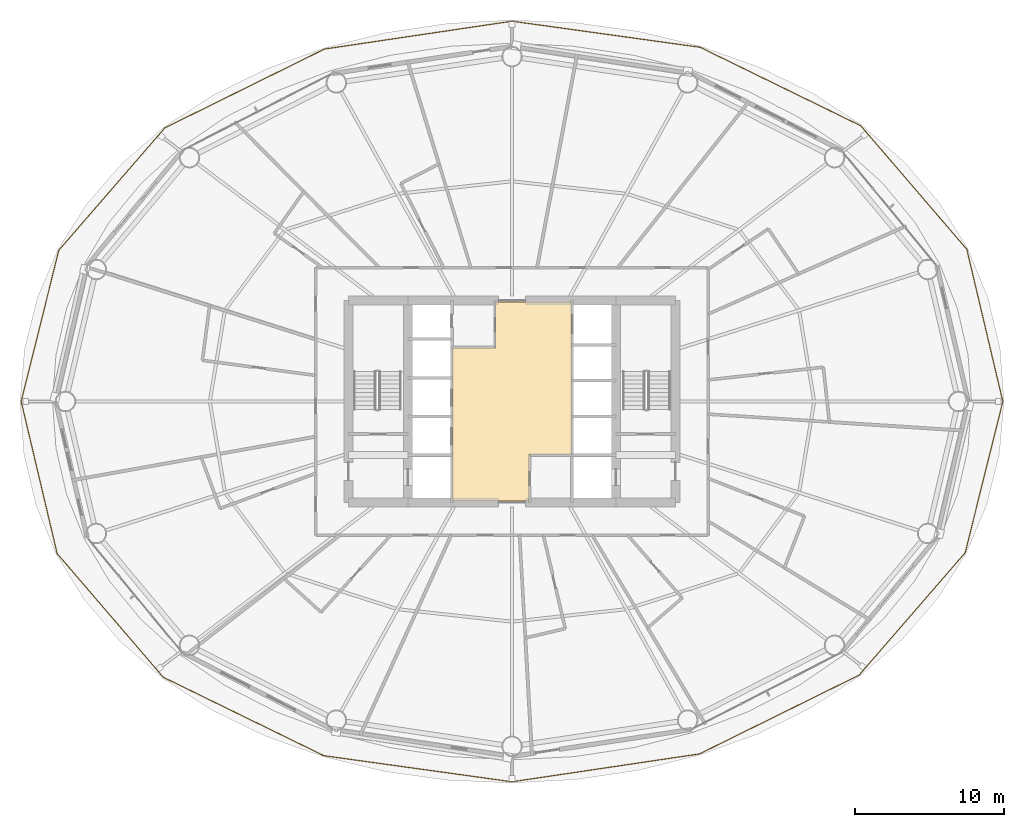
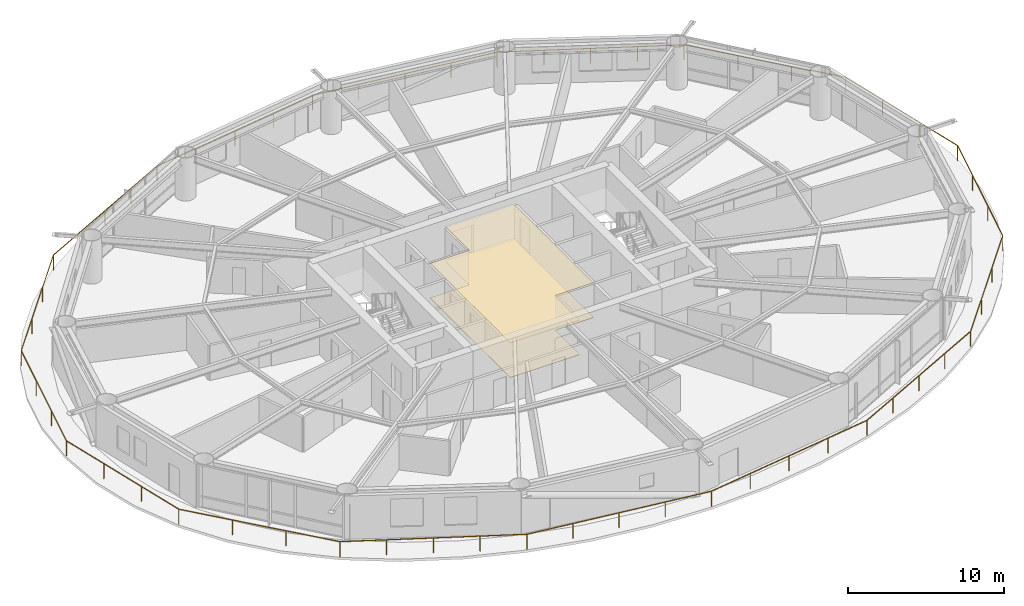
# One storey, part 25 of 26: 2 coverings, 1 railing.
"""IFC4 building model written with IfcOpenShell, lengths in metres."""

from ifc_helpers import new_model, si_unit, direction, frame, origin, origin_2d, place, context, subcontext, project, spatial, polyline, rectangle, outline, extrude, material, layer, layer_set, type_object, element, save


model = new_model("IFC4")

# Units and contexts
model_context = context("Model", 3, precision=1e-05, world=origin(), true_north=direction((0.0, 1.0)))
body_context = subcontext(model_context, "Body", "Model", "MODEL_VIEW")
ifc_project = project(units=[si_unit("LENGTHUNIT", "METRE"), si_unit("AREAUNIT", "SQUARE_METRE"), si_unit("VOLUMEUNIT", "CUBIC_METRE"), si_unit("PLANEANGLEUNIT", "RADIAN"), si_unit("MASSUNIT", "GRAM", prefix="KILO")], contexts=[model_context])

# Site, building, storey
site_placement = place(None, origin())
site = spatial("IfcSite", under=ifc_project, at=site_placement, CompositionType="ELEMENT")
building_placement = place(site_placement, origin())
building = spatial("IfcBuilding", under=site, at=building_placement, Name="Sarneth Arch Tower", CompositionType="ELEMENT")
storey_placement = place(building_placement, frame((0.0, 0.0, 57.0)))
storey = spatial("IfcBuildingStorey", under=building, at=storey_placement, Name="L13", CompositionType="ELEMENT", Elevation=57.0)

# Coverings
ifc_material_1 = material(Name="Perforated acoustic gypsum ceiling board")
ifc_layer_1 = layer(ifc_material_1, 0.02490234375)
ifc_layer_set_1 = layer_set([ifc_layer_1], Name="Perforated acoustic gypsum ceiling board")
covering_type_1 = type_object("IfcCoveringType", Name="COV-CEIL-GYP", PredefinedType="CEILING", material=ifc_layer_set_1)
covering_1_placement = place(storey_placement, frame((0.0, 0.0, 2.7099609375)))
element("IfcCovering", 1, at=covering_1_placement, inside=storey, type_object=covering_type_1, Name="L13 Lift lobby acoustic ceiling", PredefinedType="CEILING", context=body_context, shape_type="SweptSolid", body=[
    extrude(outline(polyline([(49.14990234375, 38.449951171875), (49.14990234375, 35.300048828125), (44.0, 35.300048828125), (44.0, 45.60009765625), (46.89990234375, 45.60009765625), (46.89990234375, 48.699951171875), (52.0, 48.699951171875), (52.0, 38.449951171875), (49.14990234375, 38.449951171875)])), origin(), (0.0, 0.0, 1.0), 0.030029296875),
])
ifc_material_2 = material(Name="Honed granite stone flooring", Category="masonry")
ifc_layer_2 = layer(ifc_material_2, 0.030029296875)
ifc_layer_set_2 = layer_set([ifc_layer_2], Name="Honed granite stone flooring")
covering_type_2 = type_object("IfcCoveringType", Name="COV-FLR-STONE", PredefinedType="FLOORING", material=ifc_layer_set_2)
covering_2_placement = place(storey_placement, origin())
element("IfcCovering", 2, at=covering_2_placement, inside=storey, type_object=covering_type_2, Name="L13 Lift lobby granite flooring", PredefinedType="FLOORING", context=body_context, shape_type="SweptSolid", body=[
    extrude(outline(polyline([(49.14990234375, 38.449951171875), (49.14990234375, 35.300048828125), (44.0, 35.300048828125), (44.0, 45.60009765625), (46.89990234375, 45.60009765625), (46.89990234375, 48.699951171875), (52.0, 48.699951171875), (52.0, 38.449951171875), (49.14990234375, 38.449951171875)])), origin(), (0.0, 0.0, 1.0), 0.030029296875),
])

# Railing
ifc_material_3 = material(Name="Laminated structural glass infill with Stainless Steel 316 top rail and posts", Category="steel")
railing_type = type_object("IfcRailingType", Name="RAIL-BALC-1200", PredefinedType="BALUSTRADE", material=ifc_material_3)
railing_placement = place(storey_placement, frame((81.01708984375, 42.0, 0.0)))
element("IfcRailing", 3, at=railing_placement, inside=storey, type_object=railing_type, Name="L13 Helical balcony glass balustrade", PredefinedType="BALUSTRADE", context=body_context, shape_type="SweptSolid", body=[
    extrude(rectangle(XDim=0.048095703125, YDim=0.048095703125, at=origin_2d()), frame((0.0, 0.0, 1.17578125), z_axis=(-0.230206108695, 0.973141894854, 0.0), x_axis=(-0.973141894854, -0.230206108695, 0.0)), (0.0, 0.0, 1.0), 10.518310546875),
    extrude(rectangle(XDim=0.048095703125, YDim=0.048095703125, at=origin_2d()), frame((-2.42138671875, 10.23583984375, 1.17578125), z_axis=(-0.651308870756, 0.758812727144, 0.0), x_axis=(-0.758812727144, -0.651308870756, 0.0)), (0.0, 0.0, 1.0), 10.953125),
    extrude(rectangle(XDim=0.048095703125, YDim=0.048095703125, at=origin_2d()), frame((-9.55517578125, 18.547119140625, 1.17578125), z_axis=(-0.898516706372, 0.438939321969, 0.0), x_axis=(-0.438939321969, -0.898516706372, 0.0)), (0.0, 0.0, 1.0), 12.03076171875),
    extrude(rectangle(XDim=0.048095703125, YDim=0.048095703125, at=origin_2d()), frame((-20.364990234375, 23.827880859375, 1.17578125), z_axis=(-0.99051996118, 0.137368870212, 0.0), x_axis=(-0.137368870212, -0.99051996118, 0.0)), (0.0, 0.0, 1.0), 12.773193359375),
    extrude(rectangle(XDim=0.048095703125, YDim=0.048095703125, at=origin_2d()), frame((-33.01708984375, 25.58251953125, 1.17578125), z_axis=(-0.989127061151, -0.147063445145, 0.0), x_axis=(0.147063445145, -0.989127061151, 0.0)), (0.0, 0.0, 1.0), 12.7529296875),
    extrude(rectangle(XDim=0.048095703125, YDim=0.048095703125, at=origin_2d()), frame((-45.63134765625, 23.70703125, 1.17578125), z_axis=(-0.896641921043, -0.442756440302, 0.0), x_axis=(0.442756440302, -0.896641921043, 0.0)), (0.0, 0.0, 1.0), 11.977783203125),
    extrude(rectangle(XDim=0.048095703125, YDim=0.048095703125, at=origin_2d()), frame((-56.37109375, 18.40380859375, 1.17578125), z_axis=(-0.654860544798, -0.755749738251, 0.0), x_axis=(0.755749738251, -0.654860544798, 0.0)), (0.0, 0.0, 1.0), 10.889404296875),
    extrude(rectangle(XDim=0.048095703125, YDim=0.048095703125, at=origin_2d()), frame((-63.502197265625, 10.174072265625, 1.17578125), z_axis=(-0.241499941168, -0.970400833891, 0.0), x_axis=(0.970400833891, -0.241499941168, 0.0)), (0.0, 0.0, 1.0), 10.484375),
    extrude(rectangle(XDim=0.048095703125, YDim=0.048095703125, at=origin_2d()), frame((-66.0341796875, 0.0, 1.17578125), z_axis=(0.230206108695, -0.973141894854, 0.0), x_axis=(0.973141894854, 0.230206108695, 0.0)), (0.0, 0.0, 1.0), 10.518310546875),
    extrude(rectangle(XDim=0.048095703125, YDim=0.048095703125, at=origin_2d()), frame((-63.61279296875, -10.23583984375, 1.17578125), z_axis=(0.651308870756, -0.758812727144, 0.0), x_axis=(0.758812727144, 0.651308870756, 0.0)), (0.0, 0.0, 1.0), 10.953125),
    extrude(rectangle(XDim=0.048095703125, YDim=0.048095703125, at=origin_2d()), frame((-56.47900390625, -18.547119140625, 1.17578125), z_axis=(0.898516706372, -0.438939321969, 0.0), x_axis=(0.438939321969, 0.898516706372, 0.0)), (0.0, 0.0, 1.0), 12.03076171875),
    extrude(rectangle(XDim=0.048095703125, YDim=0.048095703125, at=origin_2d()), frame((-45.669189453125, -23.827880859375, 1.17578125), z_axis=(0.99051996118, -0.137368870212, 0.0), x_axis=(0.137368870212, 0.99051996118, 0.0)), (0.0, 0.0, 1.0), 12.773193359375),
    extrude(rectangle(XDim=0.048095703125, YDim=0.048095703125, at=origin_2d()), frame((-33.01708984375, -25.58251953125, 1.17578125), z_axis=(0.989127061151, 0.147063445145, 0.0), x_axis=(-0.147063445145, 0.989127061151, 0.0)), (0.0, 0.0, 1.0), 12.7529296875),
    extrude(rectangle(XDim=0.048095703125, YDim=0.048095703125, at=origin_2d()), frame((-20.40283203125, -23.70703125, 1.17578125), z_axis=(0.896641921043, 0.442756440302, 0.0), x_axis=(-0.442756440302, 0.896641921043, 0.0)), (0.0, 0.0, 1.0), 11.977783203125),
    extrude(rectangle(XDim=0.048095703125, YDim=0.048095703125, at=origin_2d()), frame((-9.6630859375, -18.40380859375, 1.17578125), z_axis=(0.654860544798, 0.755749738251, 0.0), x_axis=(-0.755749738251, 0.654860544798, 0.0)), (0.0, 0.0, 1.0), 10.889404296875),
    extrude(rectangle(XDim=0.048095703125, YDim=0.048095703125, at=origin_2d()), frame((-2.531982421875, -10.174072265625, 1.17578125), z_axis=(0.241499941168, 0.970400833891, 0.0), x_axis=(-0.970400833891, 0.241499941168, 0.0)), (0.0, 0.0, 1.0), 10.484375),
    extrude(rectangle(XDim=0.0419921875, YDim=0.0419921875, at=origin_2d()), origin(), (0.0, 0.0, 1.0), 1.15185546875),
    extrude(rectangle(XDim=0.0419921875, YDim=0.0419921875, at=origin_2d()), frame((-0.80712890625, 3.411865234375, 0.0)), (0.0, 0.0, 1.0), 1.15185546875),
    extrude(rectangle(XDim=0.0419921875, YDim=0.0419921875, at=origin_2d()), frame((-1.6142578125, 6.823974609375, 0.0)), (0.0, 0.0, 1.0), 1.15185546875),
    extrude(rectangle(XDim=0.0419921875, YDim=0.0419921875, at=origin_2d()), frame((-2.42138671875, 10.23583984375, 0.0)), (0.0, 0.0, 1.0), 1.15185546875),
    extrude(rectangle(XDim=0.0419921875, YDim=0.0419921875, at=origin_2d()), frame((-4.79931640625, 13.00634765625, 0.0)), (0.0, 0.0, 1.0), 1.15185546875),
    extrude(rectangle(XDim=0.0419921875, YDim=0.0419921875, at=origin_2d()), frame((-7.17724609375, 15.776611328125, 0.0)), (0.0, 0.0, 1.0), 1.15185546875),
    extrude(rectangle(XDim=0.0419921875, YDim=0.0419921875, at=origin_2d()), frame((-9.55517578125, 18.547119140625, 0.0)), (0.0, 0.0, 1.0), 1.15185546875),
    extrude(rectangle(XDim=0.0419921875, YDim=0.0419921875, at=origin_2d()), frame((-12.257568359375, 19.8671875, 0.0)), (0.0, 0.0, 1.0), 1.15185546875),
    extrude(rectangle(XDim=0.0419921875, YDim=0.0419921875, at=origin_2d()), frame((-14.9599609375, 21.1875, 0.0)), (0.0, 0.0, 1.0), 1.15185546875),
    extrude(rectangle(XDim=0.0419921875, YDim=0.0419921875, at=origin_2d()), frame((-17.66259765625, 22.5078125, 0.0)), (0.0, 0.0, 1.0), 1.15185546875),
    extrude(rectangle(XDim=0.0419921875, YDim=0.0419921875, at=origin_2d()), frame((-20.364990234375, 23.827880859375, 0.0)), (0.0, 0.0, 1.0), 1.15185546875),
    extrude(rectangle(XDim=0.0419921875, YDim=0.0419921875, at=origin_2d()), frame((-23.528076171875, 24.2666015625, 0.0)), (0.0, 0.0, 1.0), 1.15185546875),
    extrude(rectangle(XDim=0.0419921875, YDim=0.0419921875, at=origin_2d()), frame((-26.69091796875, 24.705078125, 0.0)), (0.0, 0.0, 1.0), 1.15185546875),
    extrude(rectangle(XDim=0.0419921875, YDim=0.0419921875, at=origin_2d()), frame((-29.85400390625, 25.143798828125, 0.0)), (0.0, 0.0, 1.0), 1.15185546875),
    extrude(rectangle(XDim=0.0419921875, YDim=0.0419921875, at=origin_2d()), frame((-33.01708984375, 25.58251953125, 0.0)), (0.0, 0.0, 1.0), 1.15185546875),
    extrude(rectangle(XDim=0.0419921875, YDim=0.0419921875, at=origin_2d()), frame((-36.170654296875, 25.11376953125, 0.0)), (0.0, 0.0, 1.0), 1.15185546875),
    extrude(rectangle(XDim=0.0419921875, YDim=0.0419921875, at=origin_2d()), frame((-39.32421875, 24.644775390625, 0.0)), (0.0, 0.0, 1.0), 1.15185546875),
    extrude(rectangle(XDim=0.0419921875, YDim=0.0419921875, at=origin_2d()), frame((-42.477783203125, 24.17578125, 0.0)), (0.0, 0.0, 1.0), 1.15185546875),
    extrude(rectangle(XDim=0.0419921875, YDim=0.0419921875, at=origin_2d()), frame((-45.63134765625, 23.70703125, 0.0)), (0.0, 0.0, 1.0), 1.15185546875),
    extrude(rectangle(XDim=0.0419921875, YDim=0.0419921875, at=origin_2d()), frame((-48.31640625, 22.38134765625, 0.0)), (0.0, 0.0, 1.0), 1.15185546875),
    extrude(rectangle(XDim=0.0419921875, YDim=0.0419921875, at=origin_2d()), frame((-51.001220703125, 21.055419921875, 0.0)), (0.0, 0.0, 1.0), 1.15185546875),
    extrude(rectangle(XDim=0.0419921875, YDim=0.0419921875, at=origin_2d()), frame((-53.68603515625, 19.7294921875, 0.0)), (0.0, 0.0, 1.0), 1.15185546875),
    extrude(rectangle(XDim=0.0419921875, YDim=0.0419921875, at=origin_2d()), frame((-56.37109375, 18.40380859375, 0.0)), (0.0, 0.0, 1.0), 1.15185546875),
    extrude(rectangle(XDim=0.0419921875, YDim=0.0419921875, at=origin_2d()), frame((-58.748046875, 15.66064453125, 0.0)), (0.0, 0.0, 1.0), 1.15185546875),
    extrude(rectangle(XDim=0.0419921875, YDim=0.0419921875, at=origin_2d()), frame((-61.125244140625, 12.917236328125, 0.0)), (0.0, 0.0, 1.0), 1.15185546875),
    extrude(rectangle(XDim=0.0419921875, YDim=0.0419921875, at=origin_2d()), frame((-63.502197265625, 10.174072265625, 0.0)), (0.0, 0.0, 1.0), 1.15185546875),
    extrude(rectangle(XDim=0.0419921875, YDim=0.0419921875, at=origin_2d()), frame((-64.34619140625, 6.78271484375, 0.0)), (0.0, 0.0, 1.0), 1.15185546875),
    extrude(rectangle(XDim=0.0419921875, YDim=0.0419921875, at=origin_2d()), frame((-65.190185546875, 3.391357421875, 0.0)), (0.0, 0.0, 1.0), 1.15185546875),
    extrude(rectangle(XDim=0.0419921875, YDim=0.0419921875, at=origin_2d()), frame((-66.0341796875, 0.0, 0.0)), (0.0, 0.0, 1.0), 1.15185546875),
    extrude(rectangle(XDim=0.0419921875, YDim=0.0419921875, at=origin_2d()), frame((-65.22705078125, -3.411865234375, 0.0)), (0.0, 0.0, 1.0), 1.15185546875),
    extrude(rectangle(XDim=0.0419921875, YDim=0.0419921875, at=origin_2d()), frame((-64.419921875, -6.823974609375, 0.0)), (0.0, 0.0, 1.0), 1.15185546875),
    extrude(rectangle(XDim=0.0419921875, YDim=0.0419921875, at=origin_2d()), frame((-63.61279296875, -10.23583984375, 0.0)), (0.0, 0.0, 1.0), 1.15185546875),
    extrude(rectangle(XDim=0.0419921875, YDim=0.0419921875, at=origin_2d()), frame((-61.23486328125, -13.00634765625, 0.0)), (0.0, 0.0, 1.0), 1.15185546875),
    extrude(rectangle(XDim=0.0419921875, YDim=0.0419921875, at=origin_2d()), frame((-58.85693359375, -15.776611328125, 0.0)), (0.0, 0.0, 1.0), 1.15185546875),
    extrude(rectangle(XDim=0.0419921875, YDim=0.0419921875, at=origin_2d()), frame((-56.47900390625, -18.547119140625, 0.0)), (0.0, 0.0, 1.0), 1.15185546875),
    extrude(rectangle(XDim=0.0419921875, YDim=0.0419921875, at=origin_2d()), frame((-53.776611328125, -19.8671875, 0.0)), (0.0, 0.0, 1.0), 1.15185546875),
    extrude(rectangle(XDim=0.0419921875, YDim=0.0419921875, at=origin_2d()), frame((-51.07421875, -21.1875, 0.0)), (0.0, 0.0, 1.0), 1.15185546875),
    extrude(rectangle(XDim=0.0419921875, YDim=0.0419921875, at=origin_2d()), frame((-48.37158203125, -22.5078125, 0.0)), (0.0, 0.0, 1.0), 1.15185546875),
    extrude(rectangle(XDim=0.0419921875, YDim=0.0419921875, at=origin_2d()), frame((-45.669189453125, -23.827880859375, 0.0)), (0.0, 0.0, 1.0), 1.15185546875),
    extrude(rectangle(XDim=0.0419921875, YDim=0.0419921875, at=origin_2d()), frame((-42.506103515625, -24.2666015625, 0.0)), (0.0, 0.0, 1.0), 1.15185546875),
    extrude(rectangle(XDim=0.0419921875, YDim=0.0419921875, at=origin_2d()), frame((-39.34326171875, -24.705078125, 0.0)), (0.0, 0.0, 1.0), 1.15185546875),
    extrude(rectangle(XDim=0.0419921875, YDim=0.0419921875, at=origin_2d()), frame((-36.18017578125, -25.143798828125, 0.0)), (0.0, 0.0, 1.0), 1.15185546875),
    extrude(rectangle(XDim=0.0419921875, YDim=0.0419921875, at=origin_2d()), frame((-33.01708984375, -25.58251953125, 0.0)), (0.0, 0.0, 1.0), 1.15185546875),
    extrude(rectangle(XDim=0.0419921875, YDim=0.0419921875, at=origin_2d()), frame((-29.863525390625, -25.11376953125, 0.0)), (0.0, 0.0, 1.0), 1.15185546875),
    extrude(rectangle(XDim=0.0419921875, YDim=0.0419921875, at=origin_2d()), frame((-26.7099609375, -24.644775390625, 0.0)), (0.0, 0.0, 1.0), 1.15185546875),
    extrude(rectangle(XDim=0.0419921875, YDim=0.0419921875, at=origin_2d()), frame((-23.556396484375, -24.17578125, 0.0)), (0.0, 0.0, 1.0), 1.15185546875),
    extrude(rectangle(XDim=0.0419921875, YDim=0.0419921875, at=origin_2d()), frame((-20.40283203125, -23.70703125, 0.0)), (0.0, 0.0, 1.0), 1.15185546875),
    extrude(rectangle(XDim=0.0419921875, YDim=0.0419921875, at=origin_2d()), frame((-17.7177734375, -22.38134765625, 0.0)), (0.0, 0.0, 1.0), 1.15185546875),
    extrude(rectangle(XDim=0.0419921875, YDim=0.0419921875, at=origin_2d()), frame((-15.032958984375, -21.055419921875, 0.0)), (0.0, 0.0, 1.0), 1.15185546875),
    extrude(rectangle(XDim=0.0419921875, YDim=0.0419921875, at=origin_2d()), frame((-12.34814453125, -19.7294921875, 0.0)), (0.0, 0.0, 1.0), 1.15185546875),
    extrude(rectangle(XDim=0.0419921875, YDim=0.0419921875, at=origin_2d()), frame((-9.6630859375, -18.40380859375, 0.0)), (0.0, 0.0, 1.0), 1.15185546875),
    extrude(rectangle(XDim=0.0419921875, YDim=0.0419921875, at=origin_2d()), frame((-7.2861328125, -15.66064453125, 0.0)), (0.0, 0.0, 1.0), 1.15185546875),
    extrude(rectangle(XDim=0.0419921875, YDim=0.0419921875, at=origin_2d()), frame((-4.908935546875, -12.917236328125, 0.0)), (0.0, 0.0, 1.0), 1.15185546875),
    extrude(rectangle(XDim=0.0419921875, YDim=0.0419921875, at=origin_2d()), frame((-2.531982421875, -10.174072265625, 0.0)), (0.0, 0.0, 1.0), 1.15185546875),
    extrude(rectangle(XDim=0.0419921875, YDim=0.0419921875, at=origin_2d()), frame((-1.68798828125, -6.78271484375, 0.0)), (0.0, 0.0, 1.0), 1.15185546875),
    extrude(rectangle(XDim=0.0419921875, YDim=0.0419921875, at=origin_2d()), frame((-0.843994140625, -3.391357421875, 0.0)), (0.0, 0.0, 1.0), 1.15185546875),
])

save(model, "model.ifc")
